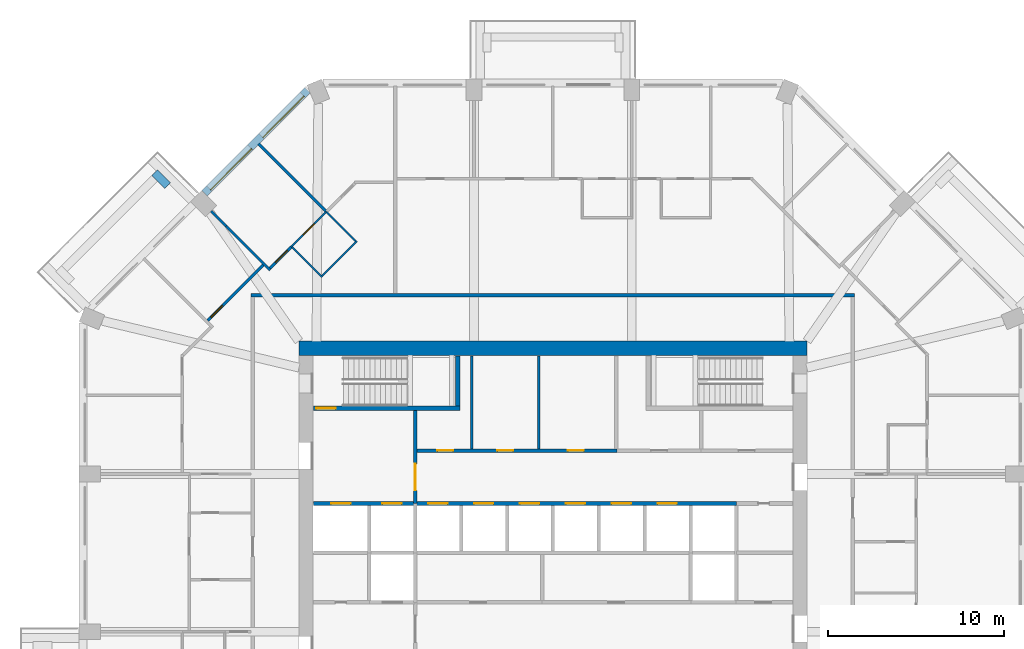
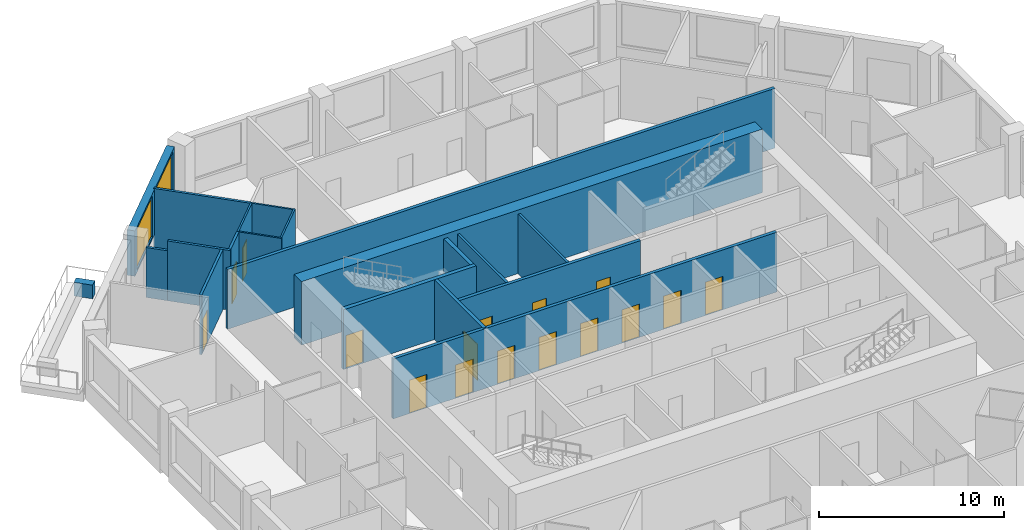
# One storey, part 8 of 12: 20 walls, 16 doors, 2 windows, 18 openings.
"""IFC4 building model written with IfcOpenShell, lengths in metres."""

from ifc_helpers import new_model, si_unit, direction, frame, frame_2d, origin, place, context, subcontext, project, spatial, rectangle, extrude, material, layer, layer_set, type_object, element, fill, save


model = new_model("IFC4")

# Units and contexts
model_context = context("Model", 3, precision=1e-05, world=origin(), true_north=direction((0.0, 1.0)))
body_context = subcontext(model_context, "Body", "Model", "MODEL_VIEW")
ifc_project = project(units=[si_unit("LENGTHUNIT", "METRE"), si_unit("AREAUNIT", "SQUARE_METRE"), si_unit("VOLUMEUNIT", "CUBIC_METRE"), si_unit("PLANEANGLEUNIT", "RADIAN"), si_unit("MASSUNIT", "GRAM", prefix="KILO")], contexts=[model_context])

# Site, building, storey
site_placement = place(None, origin())
site = spatial("IfcSite", under=ifc_project, at=site_placement, CompositionType="ELEMENT")
building_placement = place(site_placement, origin())
building = spatial("IfcBuilding", under=site, at=building_placement, Name="Msitu Wima Residences", CompositionType="ELEMENT")
storey_placement = place(building_placement, frame((0.0, 0.0, 123.300048828125)))
storey = spatial("IfcBuildingStorey", under=building, at=storey_placement, Name="L28", CompositionType="ELEMENT", Elevation=123.300048828125)

# Wall
ifc_material_1 = material(Name="Facing brick")
ifc_layer_1 = layer(ifc_material_1, 0.06494140625, Name="Facing brick")
ifc_material_2 = material(Name="Concrete C40/50", Category="concrete")
ifc_layer_2 = layer(ifc_material_2, 0.156005859375, Name="Concrete C40/50")
ifc_material_3 = material(Name="Waterproofing membrane")
ifc_layer_3 = layer(ifc_material_3, 0.00390625, Name="Waterproofing membrane")
ifc_material_4 = material(Name="Planting soil and planting")
ifc_layer_4 = layer(ifc_material_4, 0.22509765625, Name="Planting soil and planting")
ifc_layer_set_1 = layer_set([ifc_layer_1, ifc_layer_2, ifc_layer_3, ifc_layer_4], Name="Concrete C40/50")
wall_type_1 = type_object("IfcWallType", Name="Balcony planter PLANTER PL450", PredefinedType="USERDEFINED", material=ifc_layer_set_1)
wall_1_placement = place(storey_placement, frame((-21.829833984375, 20.804443359375, 0.0), z_axis=(0.0, 0.0, 1.0), x_axis=(-0.707106781187, 0.707106781187, 0.0)))
element("IfcWall", 1, at=wall_1_placement, inside=storey, type_object=wall_type_1, Name="Balcony planter NW1 L28", ObjectType="PLANTER", PredefinedType="USERDEFINED", context=body_context, shape_type="SweptSolid", body=[
    extrude(rectangle(XDim=1.050048828125, YDim=0.449951171875, at=frame_2d((0.52490234375, 0.0))), origin(), (0.0, 0.0, 1.0), 0.89990234375),
])

# Wall, openings, windows
ifc_material_5 = material(Name="Brick (red buff mix)", Category="masonry")
ifc_layer_5 = layer(ifc_material_5, 0.449951171875)
ifc_layer_set_2 = layer_set([ifc_layer_5], Name="Brick (red buff mix)")
wall_type_2 = type_object("IfcWallType", Name="Brick infill wall BW450", PredefinedType="SOLIDWALL", material=ifc_layer_set_2)
wall_2_placement = place(storey_placement, frame((-13.909423828125, 26.214599609375, 0.89990234375), z_axis=(0.0, 0.0, 1.0), x_axis=(-0.707106781187, -0.707106781187, 0.0)))
wall_2 = element("IfcWall", 2, at=wall_2_placement, inside=storey, type_object=wall_type_2, Name="Brick infill wall L28 NW0", PredefinedType="SOLIDWALL", context=body_context, shape_type="SweptSolid", body=[
    extrude(rectangle(XDim=8.251220703125, YDim=0.449951171875, at=frame_2d((4.12548828125, 0.0))), origin(), (0.0, 0.0, 1.0), 3.0),
])
opening_1_placement = place(wall_2_placement, frame((0.37548828125, 0.0, 0.14990234375)))
opening_1 = element("IfcOpeningElement", 3, at=opening_1_placement, cuts=wall_2, Name="Opening W27-29.014", PredefinedType="OPENING", context=body_context, shape_type="SweptSolid", body=[
    extrude(rectangle(XDim=3.300048828125, YDim=2.699951171875, at=frame_2d((1.64990234375, 1.35009765625))), frame((0.0, 0.23486328125, 0.0), z_axis=(0.0, -1.0, 0.0), x_axis=(1.0, 0.0, 0.0)), (0.0, 0.0, 1.0), 0.469970703125),
])
opening_2_placement = place(wall_2_placement, frame((4.57568359375, 0.0, 0.14990234375)))
opening_2 = element("IfcOpeningElement", 4, at=opening_2_placement, cuts=wall_2, Name="Opening W27-29.015", PredefinedType="OPENING", context=body_context, shape_type="SweptSolid", body=[
    extrude(rectangle(XDim=3.300048828125, YDim=2.699951171875, at=frame_2d((1.64990234375, 1.35009765625))), frame((0.0, 0.23486328125, 0.0), z_axis=(0.0, -1.0, 0.0), x_axis=(1.0, 0.0, 0.0)), (0.0, 0.0, 1.0), 0.469970703125),
])
ifc_material_6 = material(Name="Anodised aluminium, bronze finish, clear low-emissivity double glazing", Category="aluminium")
window_type = type_object("IfcWindowType", Name="Window W3300x2700", PartitioningType="DOUBLE_PANEL_VERTICAL", PredefinedType="WINDOW", material=ifc_material_6)
window_1_placement = place(opening_1_placement, origin())
window_1 = element("IfcWindow", 5, at=window_1_placement, inside=storey, type_object=window_type, Name="Window L28 NW0.1", OverallHeight=2.699951171875, OverallWidth=3.300048828125, PartitioningType="SINGLE_PANEL", PredefinedType="WINDOW", context=body_context, shape_type="SweptSolid", body=[
    extrude(rectangle(XDim=3.300048828125, YDim=2.699951171875, at=frame_2d((1.64990234375, 1.35009765625))), frame((0.0, 0.135009765625, 0.0), z_axis=(0.0, -1.0, 0.0), x_axis=(1.0, 0.0, 0.0)), (0.0, 0.0, 1.0), 0.06005859375),
])
fill(opening_1, window_1)
window_2_placement = place(opening_2_placement, origin())
window_2 = element("IfcWindow", 6, at=window_2_placement, inside=storey, type_object=window_type, Name="Window L28 NW0.2", OverallHeight=2.699951171875, OverallWidth=3.300048828125, PartitioningType="SINGLE_PANEL", PredefinedType="WINDOW", context=body_context, shape_type="SweptSolid", body=[
    extrude(rectangle(XDim=3.300048828125, YDim=2.699951171875, at=frame_2d((1.64990234375, 1.35009765625))), frame((0.0, 0.135009765625, 0.0), z_axis=(0.0, -1.0, 0.0), x_axis=(1.0, 0.0, 0.0)), (0.0, 0.0, 1.0), 0.06005859375),
])
fill(opening_2, window_2)

# Walls
ifc_material_7 = material(Name="Concrete C70/85", Category="concrete")
ifc_layer_6 = layer(ifc_material_7, 0.800048828125)
ifc_layer_set_3 = layer_set([ifc_layer_6], Name="Concrete C70/85")
wall_type_3 = type_object("IfcWallType", Name="Core wall CW800 C70/85", PredefinedType="SHEAR", material=ifc_layer_set_3)
wall_3_placement = place(storey_placement, frame((-14.39990234375, 11.60009765625, 0.0), z_axis=(0.0, 0.0, 1.0), x_axis=(1.0, 0.0, 0.0)))
element("IfcWall", 7, at=wall_3_placement, inside=storey, type_object=wall_type_3, Name="Core wall", PredefinedType="SHEAR", context=body_context, shape_type="SweptSolid", body=[
    extrude(rectangle(XDim=28.7998046875, YDim=0.800048828125, at=frame_2d((14.39990234375, 0.0))), origin(), (0.0, 0.0, 1.0), 4.199951171875),
])
ifc_material_8 = material(Name="Plaster")
ifc_layer_7 = layer(ifc_material_8, 0.011962890625, Name="Plaster")
ifc_material_9 = material(Name="Concrete blockwork", Category="masonry")
ifc_layer_8 = layer(ifc_material_9, 0.176025390625, Name="Concrete blockwork")
ifc_layer_9 = layer(ifc_material_8, 0.011962890625, Name="Plaster")
ifc_layer_set_4 = layer_set([ifc_layer_7, ifc_layer_8, ifc_layer_9], Name="Concrete blockwork")
wall_type_4 = type_object("IfcWallType", Name="Corridor wall FW200", PredefinedType="PARTITIONING", material=ifc_layer_set_4)
wall_4_placement = place(storey_placement, frame((-17.10009765625, 14.60009765625, 0.0), z_axis=(0.0, 0.0, 1.0), x_axis=(1.0, 0.0, 0.0)))
element("IfcWall", 8, at=wall_4_placement, inside=storey, type_object=wall_type_4, Name="Corridor wall", PredefinedType="PARTITIONING", context=body_context, shape_type="SweptSolid", body=[
    extrude(rectangle(XDim=34.2001953125, YDim=0.199951171875, at=frame_2d((17.10009765625, 0.0))), origin(), (0.0, 0.0, 1.0), 3.949951171875),
])

# Wall, opening, door
wall_5_placement = place(storey_placement, frame((-7.800048828125, 2.800048828125, 0.0), z_axis=(0.0, 0.0, 1.0), x_axis=(0.0, 1.0, 0.0)))
wall_5 = element("IfcWall", 9, at=wall_5_placement, inside=storey, type_object=wall_type_4, Name="Corridor wall", PredefinedType="PARTITIONING", context=body_context, shape_type="SweptSolid", body=[
    extrude(rectangle(XDim=5.27490234375, YDim=0.199951171875, at=frame_2d((2.637451171875, 0.0))), origin(), (0.0, 0.0, 1.0), 3.949951171875),
])
opening_3_placement = place(wall_5_placement, frame((0.75, 0.0, 0.0)))
opening_3 = element("IfcOpeningElement", 10, at=opening_3_placement, cuts=wall_5, Name="Opening D27-29.013", PredefinedType="OPENING", context=body_context, shape_type="SweptSolid", body=[
    extrude(rectangle(XDim=1.5, YDim=2.39990234375, at=frame_2d((0.75, 1.199951171875))), frame((0.0, 0.10986328125, 0.0), z_axis=(0.0, -1.0, 0.0), x_axis=(1.0, 0.0, 0.0)), (0.0, 0.0, 1.0), 0.219970703125),
])
ifc_material_10 = material(Name="Steel framed glazed door, fire resisting", Category="steel")
door_type_1 = type_object("IfcDoorType", Name="Lobby door D07 1500x2400", OperationType="DOUBLE_DOOR_SINGLE_SWING", PredefinedType="DOOR", material=ifc_material_10)
door_1_placement = place(opening_3_placement, origin())
door_1 = element("IfcDoor", 11, at=door_1_placement, inside=storey, type_object=door_type_1, Name="Lobby door", OperationType="DOUBLE_DOOR_SINGLE_SWING", OverallHeight=2.39990234375, OverallWidth=1.5, PredefinedType="DOOR", context=body_context, shape_type="SweptSolid", body=[
    extrude(rectangle(XDim=1.5, YDim=2.39990234375, at=frame_2d((0.75, 1.199951171875))), frame((0.0, 0.02490234375, 0.0), z_axis=(0.0, -1.0, 0.0), x_axis=(1.0, 0.0, 0.0)), (0.0, 0.0, 1.0), 0.050048828125),
])
fill(opening_3, door_1)

# Wall, openings, doors
wall_6_placement = place(storey_placement, frame((-7.699951171875, 5.800048828125, 0.0), z_axis=(0.0, 0.0, 1.0), x_axis=(1.0, 0.0, 0.0)))
wall_6 = element("IfcWall", 12, at=wall_6_placement, inside=storey, type_object=wall_type_4, Name="Corridor wall", PredefinedType="PARTITIONING", context=body_context, shape_type="SweptSolid", body=[
    extrude(rectangle(XDim=11.320068359375, YDim=0.199951171875, at=frame_2d((5.66015625, 0.0))), origin(), (0.0, 0.0, 1.0), 3.949951171875),
])
opening_4_placement = place(wall_6_placement, frame((1.14990234375, 0.0, 0.0)))
opening_4 = element("IfcOpeningElement", 13, at=opening_4_placement, cuts=wall_6, Name="Opening D27-29.016", PredefinedType="OPENING", context=body_context, shape_type="SweptSolid", body=[
    extrude(rectangle(XDim=0.89990234375, YDim=2.199951171875, at=frame_2d((0.449951171875, 1.10009765625))), frame((0.0, 0.10986328125, 0.0), z_axis=(0.0, -1.0, 0.0), x_axis=(1.0, 0.0, 0.0)), (0.0, 0.0, 1.0), 0.219970703125),
])
opening_5_placement = place(wall_6_placement, frame((4.550048828125, 0.0, 0.0)))
opening_5 = element("IfcOpeningElement", 14, at=opening_5_placement, cuts=wall_6, Name="Opening D27-29.017", PredefinedType="OPENING", context=body_context, shape_type="SweptSolid", body=[
    extrude(rectangle(XDim=0.89990234375, YDim=2.199951171875, at=frame_2d((0.449951171875, 1.10009765625))), frame((0.0, 0.10986328125, 0.0), z_axis=(0.0, -1.0, 0.0), x_axis=(1.0, 0.0, 0.0)), (0.0, 0.0, 1.0), 0.219970703125),
])
opening_6_placement = place(wall_6_placement, frame((8.550048828125, 0.0, 0.0)))
opening_6 = element("IfcOpeningElement", 15, at=opening_6_placement, cuts=wall_6, Name="Opening D27-29.018", PredefinedType="OPENING", context=body_context, shape_type="SweptSolid", body=[
    extrude(rectangle(XDim=0.89990234375, YDim=2.199951171875, at=frame_2d((0.449951171875, 1.10009765625))), frame((0.0, 0.10986328125, 0.0), z_axis=(0.0, -1.0, 0.0), x_axis=(1.0, 0.0, 0.0)), (0.0, 0.0, 1.0), 0.219970703125),
])
ifc_material_11 = material(Name="Timber flush door", Category="wood")
door_type_2 = type_object("IfcDoorType", Name="Service door D05 900x2200", OperationType="SINGLE_SWING_LEFT", PredefinedType="DOOR", material=ifc_material_11)
door_2_placement = place(opening_4_placement, origin())
door_2 = element("IfcDoor", 16, at=door_2_placement, inside=storey, type_object=door_type_2, Name="Service door", OperationType="SINGLE_SWING_RIGHT", OverallHeight=2.199951171875, OverallWidth=0.89990234375, PredefinedType="DOOR", context=body_context, shape_type="SweptSolid", body=[
    extrude(rectangle(XDim=0.89990234375, YDim=2.199951171875, at=frame_2d((0.449951171875, 1.10009765625))), frame((0.0, 0.02490234375, 0.0), z_axis=(0.0, -1.0, 0.0), x_axis=(1.0, 0.0, 0.0)), (0.0, 0.0, 1.0), 0.050048828125),
])
fill(opening_4, door_2)
door_3_placement = place(opening_5_placement, origin())
door_3 = element("IfcDoor", 17, at=door_3_placement, inside=storey, type_object=door_type_2, Name="Service door", OperationType="SINGLE_SWING_LEFT", OverallHeight=2.199951171875, OverallWidth=0.89990234375, PredefinedType="DOOR", context=body_context, shape_type="SweptSolid", body=[
    extrude(rectangle(XDim=0.89990234375, YDim=2.199951171875, at=frame_2d((0.449951171875, 1.10009765625))), frame((0.0, 0.02490234375, 0.0), z_axis=(0.0, -1.0, 0.0), x_axis=(1.0, 0.0, 0.0)), (0.0, 0.0, 1.0), 0.050048828125),
])
fill(opening_5, door_3)
door_4_placement = place(opening_6_placement, origin())
door_4 = element("IfcDoor", 18, at=door_4_placement, inside=storey, type_object=door_type_2, Name="Service door", OperationType="SINGLE_SWING_LEFT", OverallHeight=2.199951171875, OverallWidth=0.89990234375, PredefinedType="DOOR", context=body_context, shape_type="SweptSolid", body=[
    extrude(rectangle(XDim=0.89990234375, YDim=2.199951171875, at=frame_2d((0.449951171875, 1.10009765625))), frame((0.0, 0.02490234375, 0.0), z_axis=(0.0, -1.0, 0.0), x_axis=(1.0, 0.0, 0.0)), (0.0, 0.0, 1.0), 0.050048828125),
])
fill(opening_6, door_4)

# Walls
ifc_layer_10 = layer(ifc_material_8, 0.011962890625, Name="Plaster")
ifc_layer_11 = layer(ifc_material_9, 0.1259765625, Name="Concrete blockwork")
ifc_layer_12 = layer(ifc_material_8, 0.011962890625, Name="Plaster")
ifc_layer_set_5 = layer_set([ifc_layer_10, ifc_layer_11, ifc_layer_12], Name="Concrete blockwork")
wall_type_5 = type_object("IfcWallType", Name="Partition PW150", PredefinedType="PARTITIONING", material=ifc_layer_set_5)
wall_7_placement = place(storey_placement, frame((-19.37255859375, 19.37255859375, 0.0), z_axis=(0.0, 0.0, 1.0), x_axis=(0.707106781187, -0.707106781187, 0.0)))
element("IfcWall", 19, at=wall_7_placement, inside=storey, type_object=wall_type_5, Name="Partition", PredefinedType="PARTITIONING", context=body_context, shape_type="SweptSolid", body=[
    extrude(rectangle(XDim=1.209228515625, YDim=0.14990234375, at=frame_2d((0.6044921875, 0.0))), origin(), (0.0, 0.0, 1.0), 3.300048828125),
])
wall_8_placement = place(storey_placement, frame((-18.517578125, 18.517578125, 0.0), z_axis=(0.0, 0.0, 1.0), x_axis=(0.707106781187, -0.707106781187, 0.0)))
element("IfcWall", 20, at=wall_8_placement, inside=storey, type_object=wall_type_5, Name="Partition", PredefinedType="PARTITIONING", context=body_context, shape_type="SweptSolid", body=[
    extrude(rectangle(XDim=3.515869140625, YDim=0.14990234375, at=frame_2d((1.7578125, 0.0))), origin(), (0.0, 0.0, 1.0), 3.949951171875),
])

# Wall, opening, door
wall_9_placement = place(storey_placement, frame((-19.56298828125, 13.171875, 0.0), z_axis=(0.0, 0.0, 1.0), x_axis=(0.707106781187, 0.707106781187, 0.0)))
wall_9 = element("IfcWall", 21, at=wall_9_placement, inside=storey, type_object=wall_type_5, Name="Partition", PredefinedType="PARTITIONING", context=body_context, shape_type="SweptSolid", body=[
    extrude(rectangle(XDim=4.4443359375, YDim=0.14990234375, at=frame_2d((2.22216796875, 0.0))), origin(), (0.0, 0.0, 1.0), 3.949951171875),
])
opening_7_placement = place(wall_9_placement, frame((0.25, 0.0, 0.0)))
opening_7 = element("IfcOpeningElement", 22, at=opening_7_placement, cuts=wall_9, Name="Opening D27-29.053", PredefinedType="OPENING", context=body_context, shape_type="SweptSolid", body=[
    extrude(rectangle(XDim=0.949951171875, YDim=2.199951171875, at=frame_2d((0.47509765625, 1.10009765625))), frame((0.0, 0.0849609375, 0.0), z_axis=(0.0, -1.0, 0.0), x_axis=(1.0, 0.0, 0.0)), (0.0, 0.0, 1.0), 0.169921875),
])
door_type_3 = type_object("IfcDoorType", Name="Room door D12 950x2200", OperationType="SINGLE_SWING_LEFT", PredefinedType="DOOR", material=ifc_material_11)
door_5_placement = place(opening_7_placement, origin())
door_5 = element("IfcDoor", 23, at=door_5_placement, inside=storey, type_object=door_type_3, Name="Room door", OperationType="SINGLE_SWING_LEFT", OverallHeight=2.199951171875, OverallWidth=0.949951171875, PredefinedType="DOOR", context=body_context, shape_type="SweptSolid", body=[
    extrude(rectangle(XDim=0.949951171875, YDim=2.199951171875, at=frame_2d((0.47509765625, 1.10009765625))), frame((0.0, 0.02490234375, 0.0), z_axis=(0.0, -1.0, 0.0), x_axis=(1.0, 0.0, 0.0)), (0.0, 0.0, 1.0), 0.050048828125),
])
fill(opening_7, door_5)

# Wall
wall_10_placement = place(storey_placement, frame((-16.693359375, 23.1904296875, 0.0), z_axis=(0.0, 0.0, 1.0), x_axis=(0.707106781187, -0.707106781187, 0.0)))
element("IfcWall", 24, at=wall_10_placement, inside=storey, type_object=wall_type_5, Name="Partition", PredefinedType="PARTITIONING", context=body_context, shape_type="SweptSolid", body=[
    extrude(rectangle(XDim=5.475341796875, YDim=0.14990234375, at=frame_2d((2.73779296875, 0.0))), origin(), (0.0, 0.0, 1.0), 3.949951171875),
])

# Wall, opening, door
wall_11_placement = place(storey_placement, frame((-16.031494140625, 16.1376953125, 0.0), z_axis=(0.0, 0.0, 1.0), x_axis=(0.707106781187, 0.707106781187, 0.0)))
wall_11 = element("IfcWall", 25, at=wall_11_placement, inside=storey, type_object=wall_type_5, Name="Partition", PredefinedType="PARTITIONING", context=body_context, shape_type="SweptSolid", body=[
    extrude(rectangle(XDim=1.698974609375, YDim=0.14990234375, at=frame_2d((0.849609375, 0.0))), origin(), (0.0, 0.0, 1.0), 3.949951171875),
])
opening_8_placement = place(wall_11_placement, frame((0.449951171875, 0.0, 0.0)))
opening_8 = element("IfcOpeningElement", 26, at=opening_8_placement, cuts=wall_11, Name="Opening D27-29.055", PredefinedType="OPENING", context=body_context, shape_type="SweptSolid", body=[
    extrude(rectangle(XDim=0.949951171875, YDim=2.199951171875, at=frame_2d((0.47509765625, 1.10009765625))), frame((0.0, 0.0849609375, 0.0), z_axis=(0.0, -1.0, 0.0), x_axis=(1.0, 0.0, 0.0)), (0.0, 0.0, 1.0), 0.169921875),
])
door_6_placement = place(opening_8_placement, origin())
door_6 = element("IfcDoor", 27, at=door_6_placement, inside=storey, type_object=door_type_3, Name="Room door", OperationType="SINGLE_SWING_LEFT", OverallHeight=2.199951171875, OverallWidth=0.949951171875, PredefinedType="DOOR", context=body_context, shape_type="SweptSolid", body=[
    extrude(rectangle(XDim=0.949951171875, YDim=2.199951171875, at=frame_2d((0.47509765625, 1.10009765625))), frame((0.0, 0.02490234375, 0.0), z_axis=(0.0, -1.0, 0.0), x_axis=(1.0, 0.0, 0.0)), (0.0, 0.0, 1.0), 0.050048828125),
])
fill(opening_8, door_6)

# Walls
for number, where, z_axis, x_axis, name in (
    (28, (-4.60009765625, 5.89990234375, 0.0), (0.0, 0.0, 1.0), (0.0, 1.0, 0.0), "Partition"),
    (29, (-0.800048828125, 5.89990234375, 0.0), (0.0, 0.0, 1.0), (0.0, 1.0, 0.0), "Partition"),
):
    element("IfcWall", number, at=place(storey_placement, frame(where, z_axis=z_axis, x_axis=x_axis)), inside=storey, type_object=wall_type_5, Name=name, PredefinedType="PARTITIONING", context=body_context, shape_type="SweptSolid", body=[
        extrude(rectangle(XDim=5.27001953125, YDim=0.14990234375, at=frame_2d((2.635009765625, 0.0))), origin(), (0.0, 0.0, 1.0), 3.949951171875),
    ])

# Wall, openings, doors
ifc_material_12 = material(Name="Fire-rated board")
ifc_layer_13 = layer(ifc_material_12, 0.02490234375, Name="Fire-rated board")
ifc_material_13 = material(Name="Light-gauge stud framing with mineral wool")
ifc_layer_14 = layer(ifc_material_13, 0.14990234375, Name="Light-gauge stud framing with mineral wool")
ifc_layer_15 = layer(ifc_material_12, 0.02490234375, Name="Fire-rated board")
ifc_layer_set_6 = layer_set([ifc_layer_13, ifc_layer_14, ifc_layer_15], Name="Light-gauge stud framing with mineral wool")
wall_type_6 = type_object("IfcWallType", Name="Shaft wall SH200", PredefinedType="PARTITIONING", material=ifc_layer_set_6)
wall_12_placement = place(storey_placement, frame((-13.570068359375, 2.800048828125, 0.0), z_axis=(0.0, 0.0, 1.0), x_axis=(1.0, 0.0, 0.0)))
wall_12 = element("IfcWall", 30, at=wall_12_placement, inside=storey, type_object=wall_type_6, Name="Shaft wall", PredefinedType="PARTITIONING", context=body_context, shape_type="SweptSolid", body=[
    extrude(rectangle(XDim=23.969970703125, YDim=0.199951171875, at=frame_2d((11.98486328125, 0.0))), origin(), (0.0, 0.0, 1.0), 3.949951171875),
])
opening_9_placement = place(wall_12_placement, frame((1.0, 0.0, 0.0)))
opening_9 = element("IfcOpeningElement", 31, at=opening_9_placement, cuts=wall_12, Name="Opening LD", PredefinedType="OPENING", context=body_context, shape_type="SweptSolid", body=[
    extrude(rectangle(XDim=1.10009765625, YDim=2.199951171875, at=frame_2d((0.550048828125, 1.10009765625))), frame((0.0, 0.10986328125, 0.0), z_axis=(0.0, -1.0, 0.0), x_axis=(1.0, 0.0, 0.0)), (0.0, 0.0, 1.0), 0.219970703125),
])
opening_10_placement = place(wall_12_placement, frame((3.89990234375, 0.0, 0.0)))
opening_10 = element("IfcOpeningElement", 32, at=opening_10_placement, cuts=wall_12, Name="Opening LD", PredefinedType="OPENING", context=body_context, shape_type="SweptSolid", body=[
    extrude(rectangle(XDim=1.10009765625, YDim=2.199951171875, at=frame_2d((0.550048828125, 1.10009765625))), frame((0.0, 0.10986328125, 0.0), z_axis=(0.0, -1.0, 0.0), x_axis=(1.0, 0.0, 0.0)), (0.0, 0.0, 1.0), 0.219970703125),
])
opening_11_placement = place(wall_12_placement, frame((6.5, 0.0, 0.0)))
opening_11 = element("IfcOpeningElement", 33, at=opening_11_placement, cuts=wall_12, Name="Opening LD", PredefinedType="OPENING", context=body_context, shape_type="SweptSolid", body=[
    extrude(rectangle(XDim=1.10009765625, YDim=2.199951171875, at=frame_2d((0.550048828125, 1.10009765625))), frame((0.0, 0.10986328125, 0.0), z_axis=(0.0, -1.0, 0.0), x_axis=(1.0, 0.0, 0.0)), (0.0, 0.0, 1.0), 0.219970703125),
])
opening_12_placement = place(wall_12_placement, frame((9.10009765625, 0.0, 0.0)))
opening_12 = element("IfcOpeningElement", 34, at=opening_12_placement, cuts=wall_12, Name="Opening LD", PredefinedType="OPENING", context=body_context, shape_type="SweptSolid", body=[
    extrude(rectangle(XDim=1.10009765625, YDim=2.199951171875, at=frame_2d((0.550048828125, 1.10009765625))), frame((0.0, 0.10986328125, 0.0), z_axis=(0.0, -1.0, 0.0), x_axis=(1.0, 0.0, 0.0)), (0.0, 0.0, 1.0), 0.219970703125),
])
opening_13_placement = place(wall_12_placement, frame((11.699951171875, 0.0, 0.0)))
opening_13 = element("IfcOpeningElement", 35, at=opening_13_placement, cuts=wall_12, Name="Opening LD", PredefinedType="OPENING", context=body_context, shape_type="SweptSolid", body=[
    extrude(rectangle(XDim=1.10009765625, YDim=2.199951171875, at=frame_2d((0.550048828125, 1.10009765625))), frame((0.0, 0.10986328125, 0.0), z_axis=(0.0, -1.0, 0.0), x_axis=(1.0, 0.0, 0.0)), (0.0, 0.0, 1.0), 0.219970703125),
])
opening_14_placement = place(wall_12_placement, frame((14.300048828125, 0.0, 0.0)))
opening_14 = element("IfcOpeningElement", 36, at=opening_14_placement, cuts=wall_12, Name="Opening LD", PredefinedType="OPENING", context=body_context, shape_type="SweptSolid", body=[
    extrude(rectangle(XDim=1.10009765625, YDim=2.199951171875, at=frame_2d((0.550048828125, 1.10009765625))), frame((0.0, 0.10986328125, 0.0), z_axis=(0.0, -1.0, 0.0), x_axis=(1.0, 0.0, 0.0)), (0.0, 0.0, 1.0), 0.219970703125),
])
opening_15_placement = place(wall_12_placement, frame((16.89990234375, 0.0, 0.0)))
opening_15 = element("IfcOpeningElement", 37, at=opening_15_placement, cuts=wall_12, Name="Opening LD", PredefinedType="OPENING", context=body_context, shape_type="SweptSolid", body=[
    extrude(rectangle(XDim=1.10009765625, YDim=2.199951171875, at=frame_2d((0.550048828125, 1.10009765625))), frame((0.0, 0.10986328125, 0.0), z_axis=(0.0, -1.0, 0.0), x_axis=(1.0, 0.0, 0.0)), (0.0, 0.0, 1.0), 0.219970703125),
])
opening_16_placement = place(wall_12_placement, frame((19.5, 0.0, 0.0)))
opening_16 = element("IfcOpeningElement", 38, at=opening_16_placement, cuts=wall_12, Name="Opening LD", PredefinedType="OPENING", context=body_context, shape_type="SweptSolid", body=[
    extrude(rectangle(XDim=1.10009765625, YDim=2.199951171875, at=frame_2d((0.550048828125, 1.10009765625))), frame((0.0, 0.10986328125, 0.0), z_axis=(0.0, -1.0, 0.0), x_axis=(1.0, 0.0, 0.0)), (0.0, 0.0, 1.0), 0.219970703125),
])
ifc_material_14 = material(Name="Stainless steel centre-opening landing door, rated", Category="steel")
door_type_4 = type_object("IfcDoorType", Name="Lift landing door LD 1100x2200", OperationType="DOUBLE_DOOR_SLIDING", PredefinedType="DOOR", material=ifc_material_14)
door_7_placement = place(opening_9_placement, origin())
door_7 = element("IfcDoor", 39, at=door_7_placement, inside=storey, type_object=door_type_4, Name="Lift landing door LD1", OperationType="DOUBLE_DOOR_SLIDING", OverallHeight=2.199951171875, OverallWidth=1.10009765625, PredefinedType="DOOR", context=body_context, shape_type="SweptSolid", body=[
    extrude(rectangle(XDim=1.10009765625, YDim=2.199951171875, at=frame_2d((0.550048828125, 1.10009765625))), frame((0.0, 0.02490234375, 0.0), z_axis=(0.0, -1.0, 0.0), x_axis=(1.0, 0.0, 0.0)), (0.0, 0.0, 1.0), 0.050048828125),
])
fill(opening_9, door_7)
door_8_placement = place(opening_10_placement, origin())
door_8 = element("IfcDoor", 40, at=door_8_placement, inside=storey, type_object=door_type_4, Name="Lift landing door LD2", OperationType="DOUBLE_DOOR_SLIDING", OverallHeight=2.199951171875, OverallWidth=1.10009765625, PredefinedType="DOOR", context=body_context, shape_type="SweptSolid", body=[
    extrude(rectangle(XDim=1.10009765625, YDim=2.199951171875, at=frame_2d((0.550048828125, 1.10009765625))), frame((0.0, 0.02490234375, 0.0), z_axis=(0.0, -1.0, 0.0), x_axis=(1.0, 0.0, 0.0)), (0.0, 0.0, 1.0), 0.050048828125),
])
fill(opening_10, door_8)
door_9_placement = place(opening_11_placement, origin())
door_9 = element("IfcDoor", 41, at=door_9_placement, inside=storey, type_object=door_type_4, Name="Lift landing door LD4", OperationType="DOUBLE_DOOR_SLIDING", OverallHeight=2.199951171875, OverallWidth=1.10009765625, PredefinedType="DOOR", context=body_context, shape_type="SweptSolid", body=[
    extrude(rectangle(XDim=1.10009765625, YDim=2.199951171875, at=frame_2d((0.550048828125, 1.10009765625))), frame((0.0, 0.02490234375, 0.0), z_axis=(0.0, -1.0, 0.0), x_axis=(1.0, 0.0, 0.0)), (0.0, 0.0, 1.0), 0.050048828125),
])
fill(opening_11, door_9)
door_10_placement = place(opening_12_placement, origin())
door_10 = element("IfcDoor", 42, at=door_10_placement, inside=storey, type_object=door_type_4, Name="Lift landing door LD6", OperationType="DOUBLE_DOOR_SLIDING", OverallHeight=2.199951171875, OverallWidth=1.10009765625, PredefinedType="DOOR", context=body_context, shape_type="SweptSolid", body=[
    extrude(rectangle(XDim=1.10009765625, YDim=2.199951171875, at=frame_2d((0.550048828125, 1.10009765625))), frame((0.0, 0.02490234375, 0.0), z_axis=(0.0, -1.0, 0.0), x_axis=(1.0, 0.0, 0.0)), (0.0, 0.0, 1.0), 0.050048828125),
])
fill(opening_12, door_10)
door_11_placement = place(opening_13_placement, origin())
door_11 = element("IfcDoor", 43, at=door_11_placement, inside=storey, type_object=door_type_4, Name="Lift landing door LD8", OperationType="DOUBLE_DOOR_SLIDING", OverallHeight=2.199951171875, OverallWidth=1.10009765625, PredefinedType="DOOR", context=body_context, shape_type="SweptSolid", body=[
    extrude(rectangle(XDim=1.10009765625, YDim=2.199951171875, at=frame_2d((0.550048828125, 1.10009765625))), frame((0.0, 0.02490234375, 0.0), z_axis=(0.0, -1.0, 0.0), x_axis=(1.0, 0.0, 0.0)), (0.0, 0.0, 1.0), 0.050048828125),
])
fill(opening_13, door_11)
door_12_placement = place(opening_14_placement, origin())
door_12 = element("IfcDoor", 44, at=door_12_placement, inside=storey, type_object=door_type_4, Name="Lift landing door LD10", OperationType="DOUBLE_DOOR_SLIDING", OverallHeight=2.199951171875, OverallWidth=1.10009765625, PredefinedType="DOOR", context=body_context, shape_type="SweptSolid", body=[
    extrude(rectangle(XDim=1.10009765625, YDim=2.199951171875, at=frame_2d((0.550048828125, 1.10009765625))), frame((0.0, 0.02490234375, 0.0), z_axis=(0.0, -1.0, 0.0), x_axis=(1.0, 0.0, 0.0)), (0.0, 0.0, 1.0), 0.050048828125),
])
fill(opening_14, door_12)
door_13_placement = place(opening_15_placement, origin())
door_13 = element("IfcDoor", 45, at=door_13_placement, inside=storey, type_object=door_type_4, Name="Lift landing door LD12", OperationType="DOUBLE_DOOR_SLIDING", OverallHeight=2.199951171875, OverallWidth=1.10009765625, PredefinedType="DOOR", context=body_context, shape_type="SweptSolid", body=[
    extrude(rectangle(XDim=1.10009765625, YDim=2.199951171875, at=frame_2d((0.550048828125, 1.10009765625))), frame((0.0, 0.02490234375, 0.0), z_axis=(0.0, -1.0, 0.0), x_axis=(1.0, 0.0, 0.0)), (0.0, 0.0, 1.0), 0.050048828125),
])
fill(opening_15, door_13)
door_14_placement = place(opening_16_placement, origin())
door_14 = element("IfcDoor", 46, at=door_14_placement, inside=storey, type_object=door_type_4, Name="Lift landing door LD14", OperationType="DOUBLE_DOOR_SLIDING", OverallHeight=2.199951171875, OverallWidth=1.10009765625, PredefinedType="DOOR", context=body_context, shape_type="SweptSolid", body=[
    extrude(rectangle(XDim=1.10009765625, YDim=2.199951171875, at=frame_2d((0.550048828125, 1.10009765625))), frame((0.0, 0.02490234375, 0.0), z_axis=(0.0, -1.0, 0.0), x_axis=(1.0, 0.0, 0.0)), (0.0, 0.0, 1.0), 0.050048828125),
])
fill(opening_16, door_14)

# Wall, opening, door
ifc_material_15 = material(Name="Concrete C50/60", Category="concrete")
ifc_layer_16 = layer(ifc_material_15, 0.25)
ifc_layer_set_7 = layer_set([ifc_layer_16], Name="Concrete C50/60")
wall_type_7 = type_object("IfcWallType", Name="Stair enclosure wall SW250", PredefinedType="SHEAR", material=ifc_layer_set_7)
wall_13_placement = place(storey_placement, frame((-13.570068359375, 8.199951171875, 0.0), z_axis=(0.0, 0.0, 1.0), x_axis=(1.0, 0.0, 0.0)))
wall_13 = element("IfcWall", 47, at=wall_13_placement, inside=storey, type_object=wall_type_7, Name="Stair enclosure wall", PredefinedType="SHEAR", context=body_context, shape_type="SweptSolid", body=[
    extrude(rectangle(XDim=8.295166015625, YDim=0.25, at=frame_2d((4.1474609375, 0.0))), origin(), (0.0, 0.0, 1.0), 3.949951171875),
])
opening_17_placement = place(wall_13_placement, frame((0.14990234375, 0.0, 0.0)))
opening_17 = element("IfcOpeningElement", 48, at=opening_17_placement, cuts=wall_13, Name="Opening D27-29.032", PredefinedType="OPENING", context=body_context, shape_type="SweptSolid", body=[
    extrude(rectangle(XDim=1.10009765625, YDim=2.199951171875, at=frame_2d((0.550048828125, 1.10009765625))), frame((0.0, 0.135009765625, 0.0), z_axis=(0.0, -1.0, 0.0), x_axis=(1.0, 0.0, 0.0)), (0.0, 0.0, 1.0), 0.27001953125),
])
ifc_material_16 = material(Name="Steel door, fire resisting, panic bar", Category="steel")
door_type_5 = type_object("IfcDoorType", Name="Stair door D06 1100x2200", OperationType="SINGLE_SWING_LEFT", PredefinedType="DOOR", material=ifc_material_16)
door_15_placement = place(opening_17_placement, origin())
door_15 = element("IfcDoor", 49, at=door_15_placement, inside=storey, type_object=door_type_5, Name="Stair door", OperationType="SINGLE_SWING_LEFT", OverallHeight=2.199951171875, OverallWidth=1.10009765625, PredefinedType="DOOR", context=body_context, shape_type="SweptSolid", body=[
    extrude(rectangle(XDim=1.10009765625, YDim=2.199951171875, at=frame_2d((0.550048828125, 1.10009765625))), frame((0.0, 0.02490234375, 0.0), z_axis=(0.0, -1.0, 0.0), x_axis=(1.0, 0.0, 0.0)), (0.0, 0.0, 1.0), 0.050048828125),
])
fill(opening_17, door_15)

# Wall
wall_14_placement = place(storey_placement, frame((-5.39990234375, 8.324951171875, 0.0), z_axis=(0.0, 0.0, 1.0), x_axis=(0.0, 1.0, 0.0)))
element("IfcWall", 50, at=wall_14_placement, inside=storey, type_object=wall_type_7, Name="Stair enclosure wall", PredefinedType="SHEAR", context=body_context, shape_type="SweptSolid", body=[
    extrude(rectangle(XDim=2.844970703125, YDim=0.25, at=frame_2d((1.42236328125, 0.0))), origin(), (0.0, 0.0, 1.0), 3.949951171875),
])

# Wall, opening, door
ifc_material_17 = material(Name="Ceramic tiles")
ifc_layer_17 = layer(ifc_material_17, 0.008056640625, Name="Ceramic tiles")
ifc_material_18 = material(Name="Moisture-resistant board")
ifc_layer_18 = layer(ifc_material_18, 0.012451171875, Name="Moisture-resistant board")
ifc_layer_19 = layer(ifc_material_13, 0.06689453125, Name="Light-gauge stud framing with mineral wool")
ifc_layer_20 = layer(ifc_material_18, 0.012451171875, Name="Moisture-resistant board")
ifc_layer_set_8 = layer_set([ifc_layer_17, ifc_layer_18, ifc_layer_19, ifc_layer_20], Name="Light-gauge stud framing with mineral wool")
wall_type_8 = type_object("IfcWallType", Name="Wet wall PW100", PredefinedType="PARTITIONING", material=ifc_layer_set_8)
wall_15_placement = place(storey_placement, frame((-14.830078125, 17.339111328125, 0.0), z_axis=(0.0, 0.0, 1.0), x_axis=(0.707149762482, 0.707063797279, 0.0)))
wall_15 = element("IfcWall", 51, at=wall_15_placement, inside=storey, type_object=wall_type_8, Name="Wet wall", PredefinedType="PARTITIONING", context=body_context, shape_type="SweptSolid", body=[
    extrude(rectangle(XDim=2.840087890625, YDim=0.10009765625, at=frame_2d((1.419921875, 0.0))), origin(), (0.0, 0.0, 1.0), 3.949951171875),
])
opening_18_placement = place(wall_15_placement, frame((0.949951171875, 0.0, 0.0)))
opening_18 = element("IfcOpeningElement", 52, at=opening_18_placement, cuts=wall_15, Name="Opening D27-29.056", PredefinedType="OPENING", context=body_context, shape_type="SweptSolid", body=[
    extrude(rectangle(XDim=0.89990234375, YDim=2.199951171875, at=frame_2d((0.449951171875, 1.10009765625))), frame((0.0, 0.06005859375, 0.0), z_axis=(0.0, -1.0, 0.0), x_axis=(1.0, 0.0, 0.0)), (0.0, 0.0, 1.0), 0.1201171875),
])
ifc_material_19 = material(Name="Timber flush door, moisture resistant", Category="wood")
door_type_6 = type_object("IfcDoorType", Name="Bathroom door D03 900x2200", OperationType="SINGLE_SWING_LEFT", PredefinedType="DOOR", material=ifc_material_19)
door_16_placement = place(opening_18_placement, origin())
door_16 = element("IfcDoor", 53, at=door_16_placement, inside=storey, type_object=door_type_6, Name="Bathroom door", OperationType="SINGLE_SWING_RIGHT", OverallHeight=2.199951171875, OverallWidth=0.89990234375, PredefinedType="DOOR", context=body_context, shape_type="SweptSolid", body=[
    extrude(rectangle(XDim=0.89990234375, YDim=2.199951171875, at=frame_2d((0.449951171875, 1.10009765625))), frame((0.0, 0.02490234375, 0.0), z_axis=(0.0, -1.0, 0.0), x_axis=(1.0, 0.0, 0.0)), (0.0, 0.0, 1.0), 0.050048828125),
])
fill(opening_18, door_16)

# Walls
wall_16_placement = place(storey_placement, frame((-14.780517578125, 17.31787109375, 0.0), z_axis=(0.0, 0.0, 1.0), x_axis=(0.707106781187, -0.707106781187, 0.0)))
element("IfcWall", 54, at=wall_16_placement, inside=storey, type_object=wall_type_8, Name="Wet wall", PredefinedType="PARTITIONING", context=body_context, shape_type="SweptSolid", body=[
    extrude(rectangle(XDim=2.39990234375, YDim=0.10009765625, at=frame_2d((1.199951171875, 0.0))), origin(), (0.0, 0.0, 1.0), 3.949951171875),
])
wall_17_placement = place(storey_placement, frame((-13.08349609375, 15.69140625, 0.0), z_axis=(0.0, 0.0, 1.0), x_axis=(0.707106781187, 0.707106781187, 0.0)))
element("IfcWall", 55, at=wall_17_placement, inside=storey, type_object=wall_type_8, Name="Wet wall", PredefinedType="PARTITIONING", context=body_context, shape_type="SweptSolid", body=[
    extrude(rectangle(XDim=2.800048828125, YDim=0.10009765625, at=frame_2d((1.39990234375, 0.0))), origin(), (0.0, 0.0, 1.0), 3.949951171875),
])
wall_18_placement = place(storey_placement, frame((-12.82177734375, 19.31884765625, 0.0), z_axis=(0.0, 0.0, 1.0), x_axis=(0.707106781187, -0.707106781187, 0.0)))
element("IfcWall", 56, at=wall_18_placement, inside=storey, type_object=wall_type_8, Name="Wet wall", PredefinedType="PARTITIONING", context=body_context, shape_type="SweptSolid", body=[
    extrude(rectangle(XDim=2.329833984375, YDim=0.10009765625, at=frame_2d((1.1650390625, 0.0))), origin(), (0.0, 0.0, 1.0), 3.949951171875),
])

save(model, "model.ifc")
